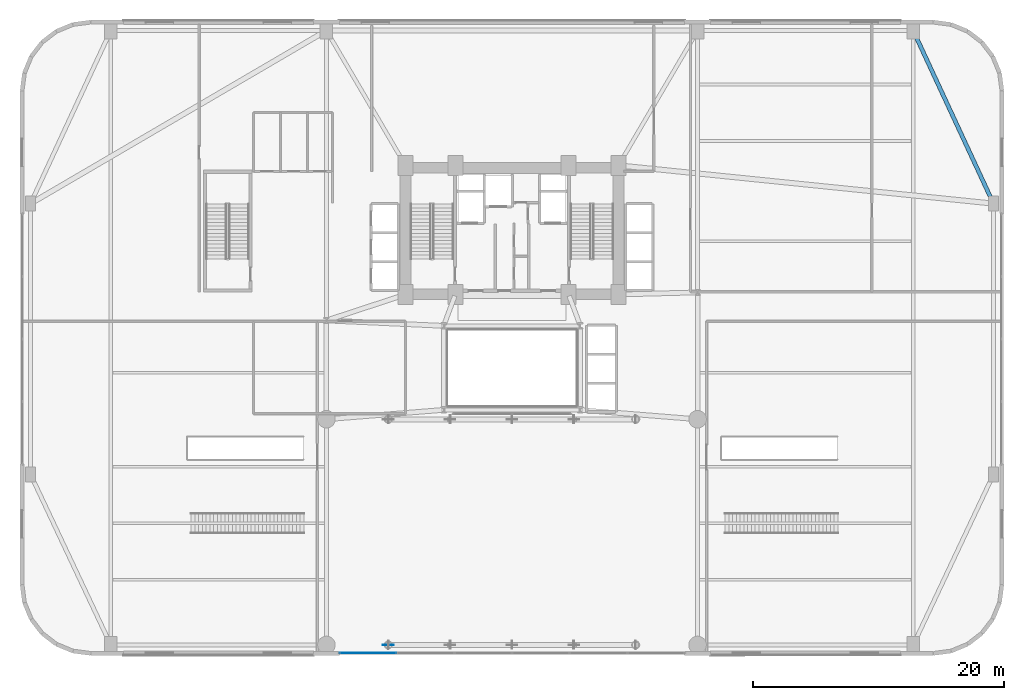
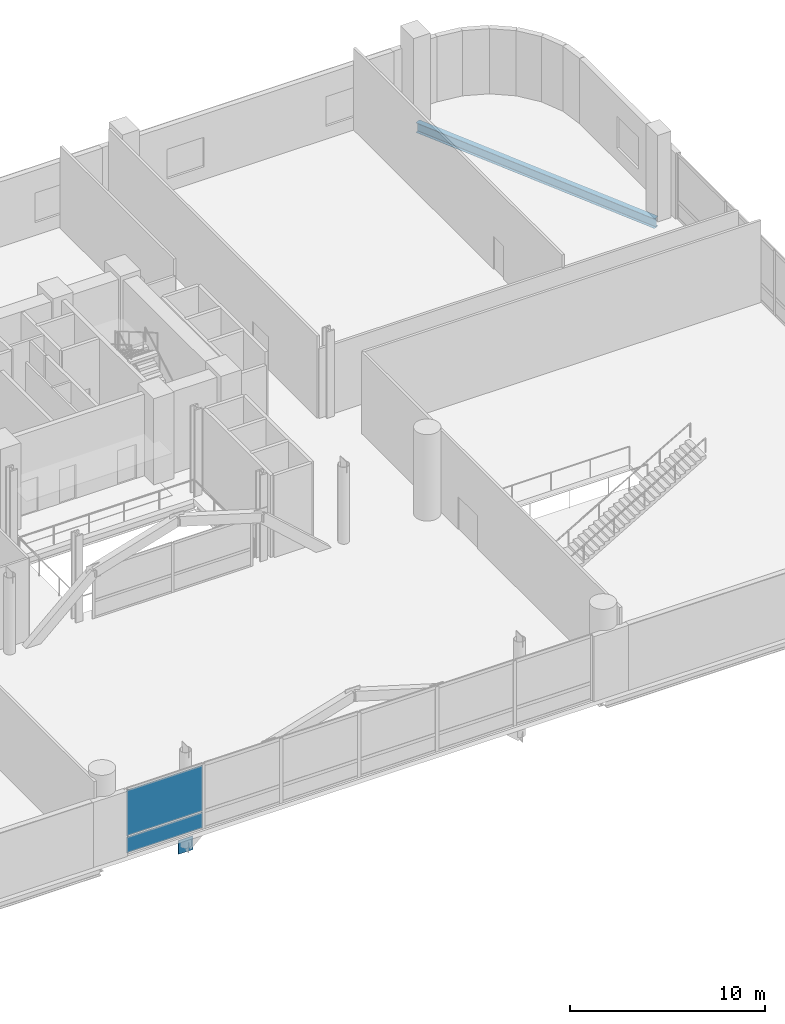
# One storey, part 22 of 36: 3 plates, 1 beam, 1 element without a shape of its own.
"""IFC4 building model written with IfcOpenShell, lengths in metres."""

from ifc_helpers import new_model, si_unit, direction, frame, origin, origin_2d, place, context, subcontext, project, spatial, rectangle, i_section, extrude, source, transform, mapped, material, layer, layer_set, material_profile, profile_set, type_object, element, aggregate, save


model = new_model("IFC4")

# Units and contexts
model_context = context("Model", 3, precision=1e-05, world=origin(), true_north=direction((0.0, 1.0)))
body_context = subcontext(model_context, "Body", "Model", "MODEL_VIEW")
ifc_project = project(units=[si_unit("LENGTHUNIT", "METRE"), si_unit("AREAUNIT", "SQUARE_METRE"), si_unit("VOLUMEUNIT", "CUBIC_METRE"), si_unit("PLANEANGLEUNIT", "RADIAN"), si_unit("MASSUNIT", "GRAM", prefix="KILO")], contexts=[model_context])

# Site, building, storey
site_placement = place(None, origin())
site = spatial("IfcSite", under=ifc_project, at=site_placement, CompositionType="ELEMENT")
building_placement = place(site_placement, origin())
building = spatial("IfcBuilding", under=site, at=building_placement, Name="Varnelok Gate Tower", CompositionType="ELEMENT")
storey_placement = place(building_placement, frame((0.0, 0.0, 10.800048828125)))
storey = spatial("IfcBuildingStorey", under=building, at=storey_placement, Name="L02", CompositionType="ELEMENT", Elevation=10.800048828125)

# Beam
ifc_material_1 = material(Name="Structural Steel ASTM A992 Grade 50", Category="steel")
ifc_material_profile = material_profile(ifc_material_1, i_section(OverallWidth=0.323974609375, OverallDepth=0.611083984375, WebThickness=0.0126953125, FlangeThickness=0.01904296875, FilletRadius=0.01806640625, at=origin_2d()), Name="W24X104")
ifc_profile_set = profile_set([ifc_material_profile], Name="Structural Steel ASTM A992 Grade 50")
beam_type = type_object("IfcBeamType", Name="BM-SPN-W24X104", PredefinedType="SPANDREL", material=ifc_profile_set)
beam_placement = place(storey_placement, frame((77.541015625, 36.126953125, -0.58544921875), z_axis=(-0.420722638096, 0.907189319709, 0.0), x_axis=(-0.907189319709, -0.420722638096, 0.0)))
element("IfcBeam", 1, at=beam_placement, inside=storey, type_object=beam_type, Name="L02 Podium Primary Girder 11", PredefinedType="SPANDREL", context=body_context, shape_type="SweptSolid", body=[
    extrude(i_section(OverallWidth=0.323974609375, OverallDepth=0.611083984375, WebThickness=0.0126953125, FlangeThickness=0.01904296875, FilletRadius=0.01806640625, at=origin_2d()), origin(), (0.0, 0.0, 1.0), 14.931884765625),
])

# Plate
ifc_material_2 = material(Name="Structural Steel ASTM A572 Grade 50", Category="steel")
ifc_layer_1 = layer(ifc_material_2, 0.0400390625)
ifc_layer_set_1 = layer_set([ifc_layer_1], Name="Structural Steel ASTM A572 Grade 50")
plate_type_1 = type_object("IfcPlateType", Name="PLT-GUSSET-40", PredefinedType="USERDEFINED", material=ifc_layer_set_1)
shared_shape_1 = source(origin(), body_context, "Body", "SweptSolid", [
    extrude(rectangle(XDim=0.85009765625, YDim=0.0400390625, at=origin_2d()), origin(), (0.0, 0.0, 1.0), 0.85009765625),
])
plate_1_placement = place(storey_placement, frame((29.333251953125, 0.800048828125, -1.591796875), z_axis=(0.0, 0.0, 1.0), x_axis=(1.0, 0.0, 0.0)))
element("IfcPlate", 2, at=plate_1_placement, inside=storey, type_object=plate_type_1, Name="Giant Arch Node Gusset Plate AN-1", ObjectType="GUSSET PLATE", PredefinedType="USERDEFINED", context=body_context, shape_type="MappedRepresentation", body=[
    mapped(shared_shape_1, transform((0.0, 0.0, 0.0), scale=1.0)),
])

# Curtain wall, plates
ifc_material_3 = material(Name="Anodized Aluminum Alloy 6063-T6", Category="aluminium")
ifc_layer_2 = layer(ifc_material_3, 0.179931640625)
ifc_layer_set_2 = layer_set([ifc_layer_2], Name="Anodized Aluminum Alloy 6063-T6")
curtain_wall_type = type_object("IfcCurtainWallType", Name="CW1-ARCH-PORTAL", PredefinedType="USERDEFINED", material=ifc_layer_set_2)
curtain_wall_placement = place(storey_placement, origin())
curtain_wall = element("IfcCurtainWall", 3, at=curtain_wall_placement, inside=storey, type_object=curtain_wall_type, Name="L02 Giant Arch Portal Glazed Curtain Wall", ObjectType="UNITISED CURTAIN WALL", PredefinedType="USERDEFINED")
ifc_material_4 = material(Name="Low-E Laminated Double Glazing IGU", Category="glass")
ifc_layer_3 = layer(ifc_material_4, 0.028076171875)
ifc_layer_set_3 = layer_set([ifc_layer_3], Name="Low-E Laminated Double Glazing IGU")
plate_type_2 = type_object("IfcPlateType", Name="CW-PNL-IGU28", PredefinedType="CURTAIN_PANEL", material=ifc_layer_set_3)
shared_shape_2 = source(origin(), body_context, "Body", "SweptSolid", [
    extrude(rectangle(XDim=4.487548828125, YDim=0.028076171875, at=origin_2d()), origin(), (0.0, 0.0, 1.0), 0.987548828125),
])
plate_2_placement = place(storey_placement, frame((27.71875, 0.159912109375, 0.07470703125), z_axis=(0.0, 0.0, 1.0), x_axis=(-1.0, 0.0, 0.0)))
plate_2 = element("IfcPlate", 4, at=plate_2_placement, type_object=plate_type_2, Name="CW1 panel 6.1", PredefinedType="CURTAIN_PANEL", context=body_context, shape_type="MappedRepresentation", body=[
    mapped(shared_shape_2, transform((0.0, 0.0, 0.0), scale=1.0)),
])
shared_shape_3 = source(origin(), body_context, "Body", "SweptSolid", [
    extrude(rectangle(XDim=4.487548828125, YDim=0.028076171875, at=origin_2d()), origin(), (0.0, 0.0, 1.0), 2.857421875),
])
plate_3_placement = place(storey_placement, frame((27.71875, 0.159912109375, 1.137451171875), z_axis=(0.0, 0.0, 1.0), x_axis=(-1.0, 0.0, 0.0)))
plate_3 = element("IfcPlate", 5, at=plate_3_placement, type_object=plate_type_2, Name="CW1 panel 6.2", PredefinedType="CURTAIN_PANEL", context=body_context, shape_type="MappedRepresentation", body=[
    mapped(shared_shape_3, transform((0.0, 0.0, 0.0), scale=1.0)),
])
aggregate(curtain_wall, [plate_2, plate_3])

save(model, "model.ifc")
